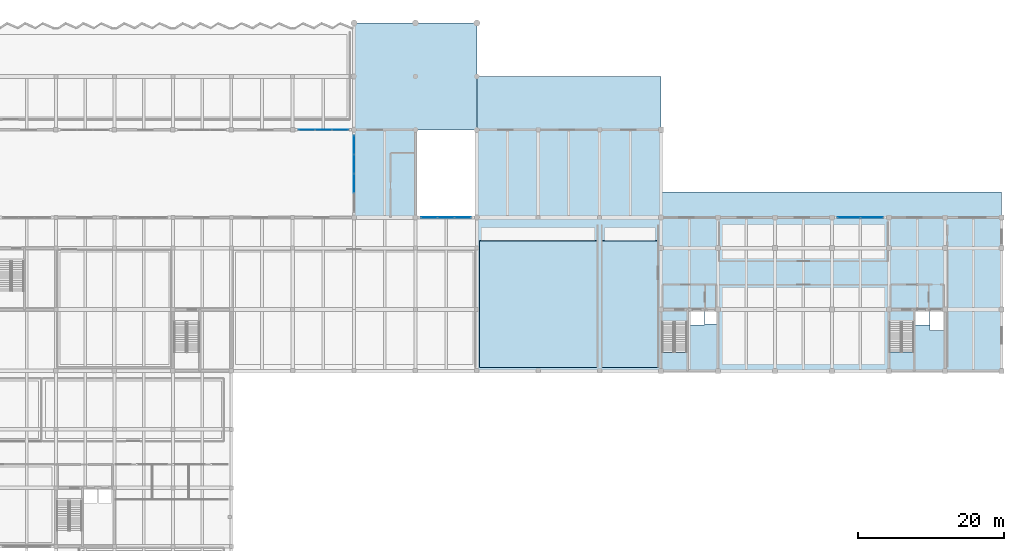
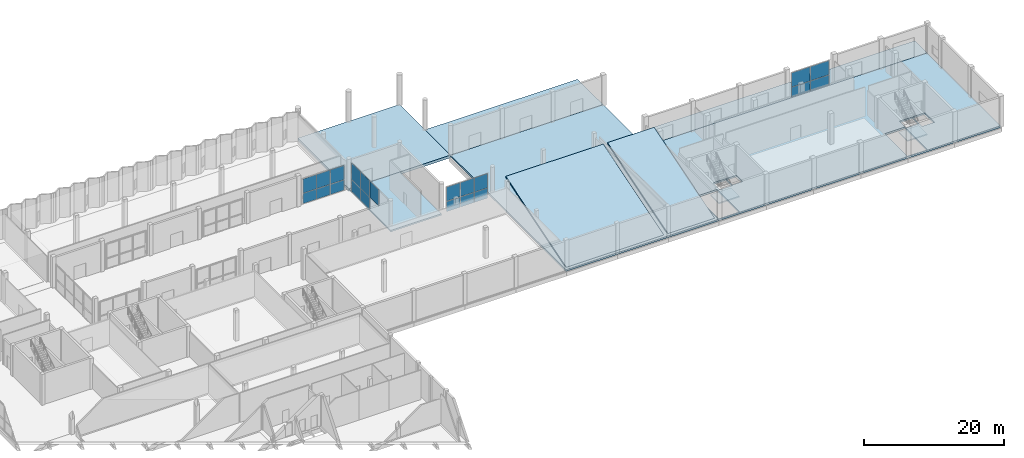
# One storey, part 22 of 41: 21 plates, 10 slabs, 6 elements without a shape of their own.
"""IFC4 building model written with IfcOpenShell, lengths in metres."""

from ifc_helpers import new_model, si_unit, direction, frame, origin, origin_2d, place, context, subcontext, project, spatial, polyline, rectangle, outline, extrude, material, layer, layer_set, type_object, element, aggregate, save


model = new_model("IFC4")

# Units and contexts
model_context = context("Model", 3, precision=1e-05, world=origin(), true_north=direction((0.0, 1.0)))
body_context = subcontext(model_context, "Body", "Model", "MODEL_VIEW")
ifc_project = project(units=[si_unit("LENGTHUNIT", "METRE"), si_unit("AREAUNIT", "SQUARE_METRE"), si_unit("VOLUMEUNIT", "CUBIC_METRE"), si_unit("PLANEANGLEUNIT", "RADIAN"), si_unit("MASSUNIT", "GRAM", prefix="KILO")], contexts=[model_context])

# Site, building, storey
site_placement = place(None, origin())
site = spatial("IfcSite", under=ifc_project, at=site_placement, CompositionType="ELEMENT")
building_placement = place(site_placement, origin())
building = spatial("IfcBuilding", under=site, at=building_placement, Name="Vharandega Faculty of Natural Sciences", CompositionType="ELEMENT")
storey_placement = place(building_placement, origin())
storey = spatial("IfcBuildingStorey", under=building, at=storey_placement, Name="L00", CompositionType="ELEMENT", Elevation=0.0)

# Curtain wall, plates
ifc_material_1 = material(Name="Aluminium and solar-control glass curtain wall", Category="aluminium")
curtain_wall_type_1 = type_object("IfcCurtainWallType", Name="Unitised Curtain Wall System CW-02", PredefinedType="NOTDEFINED", material=ifc_material_1)
curtain_wall_1_placement = place(storey_placement, origin())
curtain_wall_1 = element("IfcCurtainWall", 1, at=curtain_wall_1_placement, inside=storey, type_object=curtain_wall_type_1, Name="Curtain Wall CW-L00-001", PredefinedType="NOTDEFINED")
ifc_material_2 = material(Name="Double-glazed low-E solar glass", Category="glass")
ifc_layer_1 = layer(ifc_material_2, 0.028076171875, Name="Double-glazed low-E solar glass")
ifc_layer_set_1 = layer_set([ifc_layer_1], Name="Double-glazed low-E solar glass")
plate_type = type_object("IfcPlateType", Name="CW Solar Vision Panel 28mm", PredefinedType="CURTAIN_PANEL", material=ifc_layer_set_1)
plate_1_placement = place(storey_placement, frame((140.53759765625, 85.0, 0.06494140625), z_axis=(0.0, 0.0, 1.0), x_axis=(1.0, 0.0, 0.0)))
plate_1 = element("IfcPlate", 2, at=plate_1_placement, type_object=plate_type, Name="CW-02 panel 1.1", PredefinedType="CURTAIN_PANEL", context=body_context, shape_type="SweptSolid", body=[
    extrude(rectangle(XDim=3.054931640625, YDim=0.028076171875, at=origin_2d()), origin(), (0.0, 0.0, 1.0), 1.7587890625),
])
plate_2_placement = place(storey_placement, frame((140.53759765625, 85.0, 1.88916015625), z_axis=(0.0, 0.0, 1.0), x_axis=(1.0, 0.0, 0.0)))
plate_2 = element("IfcPlate", 3, at=plate_2_placement, type_object=plate_type, Name="CW-02 panel 1.2", PredefinedType="CURTAIN_PANEL", context=body_context, shape_type="SweptSolid", body=[
    extrude(rectangle(XDim=3.054931640625, YDim=0.028076171875, at=origin_2d()), origin(), (0.0, 0.0, 1.0), 2.466064453125),
])
plate_3_placement = place(storey_placement, frame((143.66259765625, 85.0, 0.06494140625), z_axis=(0.0, 0.0, 1.0), x_axis=(1.0, 0.0, 0.0)))
plate_3 = element("IfcPlate", 4, at=plate_3_placement, type_object=plate_type, Name="CW-02 panel 2.1", PredefinedType="CURTAIN_PANEL", context=body_context, shape_type="SweptSolid", body=[
    extrude(rectangle(XDim=3.054931640625, YDim=0.028076171875, at=origin_2d()), origin(), (0.0, 0.0, 1.0), 1.7587890625),
])
plate_4_placement = place(storey_placement, frame((143.66259765625, 85.0, 1.88916015625), z_axis=(0.0, 0.0, 1.0), x_axis=(1.0, 0.0, 0.0)))
plate_4 = element("IfcPlate", 5, at=plate_4_placement, type_object=plate_type, Name="CW-02 panel 2.2", PredefinedType="CURTAIN_PANEL", context=body_context, shape_type="SweptSolid", body=[
    extrude(rectangle(XDim=3.054931640625, YDim=0.028076171875, at=origin_2d()), origin(), (0.0, 0.0, 1.0), 2.466064453125),
])
aggregate(curtain_wall_1, [plate_1, plate_2, plate_3, plate_4])

ifc_material_3 = material(Name="Aluminium and solar-control glass curtain wall", Category="aluminium")
curtain_wall_type_2 = type_object("IfcCurtainWallType", Name="Unitised Curtain Wall System CW-12", PredefinedType="NOTDEFINED", material=ifc_material_3)
curtain_wall_2_placement = place(storey_placement, origin())
curtain_wall_2 = element("IfcCurtainWall", 6, at=curtain_wall_2_placement, inside=storey, type_object=curtain_wall_type_2, Name="Curtain Wall CW-L00-039", PredefinedType="NOTDEFINED")
plate_5_placement = place(storey_placement, frame((66.310791015625, 97.0, 0.06494140625), z_axis=(0.0, 0.0, 1.0), x_axis=(1.0, 0.0, 0.0)))
plate_5 = element("IfcPlate", 7, at=plate_5_placement, type_object=plate_type, Name="CW-12 panel 1.1", PredefinedType="CURTAIN_PANEL", context=body_context, shape_type="SweptSolid", body=[
    extrude(rectangle(XDim=2.20166015625, YDim=0.028076171875, at=origin_2d()), origin(), (0.0, 0.0, 1.0), 1.767333984375),
])
plate_6_placement = place(storey_placement, frame((66.310791015625, 97.0, 1.8974609375), z_axis=(0.0, 0.0, 1.0), x_axis=(1.0, 0.0, 0.0)))
plate_6 = element("IfcPlate", 8, at=plate_6_placement, type_object=plate_type, Name="CW-12 panel 1.2", PredefinedType="CURTAIN_PANEL", context=body_context, shape_type="SweptSolid", body=[
    extrude(rectangle(XDim=2.20166015625, YDim=0.028076171875, at=origin_2d()), origin(), (0.0, 0.0, 1.0), 2.477783203125),
])
plate_7_placement = place(storey_placement, frame((68.60009765625, 97.0, 0.06494140625), z_axis=(0.0, 0.0, 1.0), x_axis=(1.0, 0.0, 0.0)))
plate_7 = element("IfcPlate", 9, at=plate_7_placement, type_object=plate_type, Name="CW-12 panel 2.1", PredefinedType="CURTAIN_PANEL", context=body_context, shape_type="SweptSolid", body=[
    extrude(rectangle(XDim=2.236572265625, YDim=0.028076171875, at=origin_2d()), origin(), (0.0, 0.0, 1.0), 1.767333984375),
])
plate_8_placement = place(storey_placement, frame((68.60009765625, 97.0, 1.8974609375), z_axis=(0.0, 0.0, 1.0), x_axis=(1.0, 0.0, 0.0)))
plate_8 = element("IfcPlate", 10, at=plate_8_placement, type_object=plate_type, Name="CW-12 panel 2.2", PredefinedType="CURTAIN_PANEL", context=body_context, shape_type="SweptSolid", body=[
    extrude(rectangle(XDim=2.236572265625, YDim=0.028076171875, at=origin_2d()), origin(), (0.0, 0.0, 1.0), 2.477783203125),
])
plate_9_placement = place(storey_placement, frame((70.88916015625, 97.0, 0.06494140625), z_axis=(0.0, 0.0, 1.0), x_axis=(1.0, 0.0, 0.0)))
plate_9 = element("IfcPlate", 11, at=plate_9_placement, type_object=plate_type, Name="CW-12 panel 3.1", PredefinedType="CURTAIN_PANEL", context=body_context, shape_type="SweptSolid", body=[
    extrude(rectangle(XDim=2.20166015625, YDim=0.028076171875, at=origin_2d()), origin(), (0.0, 0.0, 1.0), 1.767333984375),
])
plate_10_placement = place(storey_placement, frame((70.88916015625, 97.0, 1.8974609375), z_axis=(0.0, 0.0, 1.0), x_axis=(1.0, 0.0, 0.0)))
plate_10 = element("IfcPlate", 12, at=plate_10_placement, type_object=plate_type, Name="CW-12 panel 3.2", PredefinedType="CURTAIN_PANEL", context=body_context, shape_type="SweptSolid", body=[
    extrude(rectangle(XDim=2.20166015625, YDim=0.028076171875, at=origin_2d()), origin(), (0.0, 0.0, 1.0), 2.477783203125),
])
aggregate(curtain_wall_2, [plate_5, plate_6, plate_7, plate_8, plate_9, plate_10])

ifc_material_4 = material(Name="Aluminium and solar-control glass curtain wall", Category="aluminium")
curtain_wall_type_3 = type_object("IfcCurtainWallType", Name="Unitised Curtain Wall System CW-19", PredefinedType="NOTDEFINED", material=ifc_material_4)
curtain_wall_3_placement = place(storey_placement, origin())
curtain_wall_3 = element("IfcCurtainWall", 13, at=curtain_wall_3_placement, inside=storey, type_object=curtain_wall_type_3, Name="Curtain Wall CW-L00-074", PredefinedType="NOTDEFINED")
plate_11_placement = place(storey_placement, frame((72.800048828125, 89.68505859375, 2.17431640625), z_axis=(0.0, 0.0, 1.0), x_axis=(0.0, 1.0, 0.0)))
plate_11 = element("IfcPlate", 14, at=plate_11_placement, type_object=plate_type, Name="CW-19 panel 2.2", PredefinedType="CURTAIN_PANEL", context=body_context, shape_type="SweptSolid", body=[
    extrude(rectangle(XDim=2.56005859375, YDim=0.028076171875, at=origin_2d()), origin(), (0.0, 0.0, 1.0), 2.860595703125),
])
plate_12_placement = place(storey_placement, frame((72.800048828125, 92.31494140625, 0.06494140625), z_axis=(0.0, 0.0, 1.0), x_axis=(0.0, 1.0, 0.0)))
plate_12 = element("IfcPlate", 15, at=plate_12_placement, type_object=plate_type, Name="CW-19 panel 3.1", PredefinedType="CURTAIN_PANEL", context=body_context, shape_type="SweptSolid", body=[
    extrude(rectangle(XDim=2.56005859375, YDim=0.028076171875, at=origin_2d()), origin(), (0.0, 0.0, 1.0), 2.04443359375),
])
plate_13_placement = place(storey_placement, frame((72.800048828125, 92.31494140625, 2.17431640625), z_axis=(0.0, 0.0, 1.0), x_axis=(0.0, 1.0, 0.0)))
plate_13 = element("IfcPlate", 16, at=plate_13_placement, type_object=plate_type, Name="CW-19 panel 3.2", PredefinedType="CURTAIN_PANEL", context=body_context, shape_type="SweptSolid", body=[
    extrude(rectangle(XDim=2.56005859375, YDim=0.028076171875, at=origin_2d()), origin(), (0.0, 0.0, 1.0), 2.860595703125),
])
plate_14_placement = place(storey_placement, frame((72.800048828125, 94.927490234375, 0.06494140625), z_axis=(0.0, 0.0, 1.0), x_axis=(0.0, 1.0, 0.0)))
plate_14 = element("IfcPlate", 17, at=plate_14_placement, type_object=plate_type, Name="CW-19 panel 4.1", PredefinedType="CURTAIN_PANEL", context=body_context, shape_type="SweptSolid", body=[
    extrude(rectangle(XDim=2.52490234375, YDim=0.028076171875, at=origin_2d()), origin(), (0.0, 0.0, 1.0), 2.04443359375),
])
plate_15_placement = place(storey_placement, frame((72.800048828125, 94.927490234375, 2.17431640625), z_axis=(0.0, 0.0, 1.0), x_axis=(0.0, 1.0, 0.0)))
plate_15 = element("IfcPlate", 18, at=plate_15_placement, type_object=plate_type, Name="CW-19 panel 4.2", PredefinedType="CURTAIN_PANEL", context=body_context, shape_type="SweptSolid", body=[
    extrude(rectangle(XDim=2.52490234375, YDim=0.028076171875, at=origin_2d()), origin(), (0.0, 0.0, 1.0), 2.860595703125),
])
aggregate(curtain_wall_3, [plate_11, plate_12, plate_13, plate_14, plate_15])

ifc_material_5 = material(Name="Aluminium and solar-control glass curtain wall", Category="aluminium")
curtain_wall_type_4 = type_object("IfcCurtainWallType", Name="Unitised Curtain Wall System CW-22", PredefinedType="NOTDEFINED", material=ifc_material_5)
curtain_wall_4_placement = place(storey_placement, origin())
curtain_wall_4 = element("IfcCurtainWall", 19, at=curtain_wall_4_placement, inside=storey, type_object=curtain_wall_type_4, Name="Curtain Wall CW-L00-077", PredefinedType="NOTDEFINED")
plate_16_placement = place(storey_placement, frame((83.11083984375, 85.0, 0.06494140625), z_axis=(0.0, 0.0, 1.0), x_axis=(1.0, 0.0, 0.0)))
plate_16 = element("IfcPlate", 20, at=plate_16_placement, type_object=plate_type, Name="CW-22 panel 1.1", PredefinedType="CURTAIN_PANEL", context=body_context, shape_type="SweptSolid", body=[
    extrude(rectangle(XDim=2.20166015625, YDim=0.028076171875, at=origin_2d()), origin(), (0.0, 0.0, 1.0), 1.7587890625),
])
plate_17_placement = place(storey_placement, frame((83.11083984375, 85.0, 1.88916015625), z_axis=(0.0, 0.0, 1.0), x_axis=(1.0, 0.0, 0.0)))
plate_17 = element("IfcPlate", 21, at=plate_17_placement, type_object=plate_type, Name="CW-22 panel 1.2", PredefinedType="CURTAIN_PANEL", context=body_context, shape_type="SweptSolid", body=[
    extrude(rectangle(XDim=2.20166015625, YDim=0.028076171875, at=origin_2d()), origin(), (0.0, 0.0, 1.0), 2.466064453125),
])
plate_18_placement = place(storey_placement, frame((85.39990234375, 85.0, 0.06494140625), z_axis=(0.0, 0.0, 1.0), x_axis=(1.0, 0.0, 0.0)))
plate_18 = element("IfcPlate", 22, at=plate_18_placement, type_object=plate_type, Name="CW-22 panel 2.1", PredefinedType="CURTAIN_PANEL", context=body_context, shape_type="SweptSolid", body=[
    extrude(rectangle(XDim=2.236572265625, YDim=0.028076171875, at=origin_2d()), origin(), (0.0, 0.0, 1.0), 1.7587890625),
])
plate_19_placement = place(storey_placement, frame((85.39990234375, 85.0, 1.88916015625), z_axis=(0.0, 0.0, 1.0), x_axis=(1.0, 0.0, 0.0)))
plate_19 = element("IfcPlate", 23, at=plate_19_placement, type_object=plate_type, Name="CW-22 panel 2.2", PredefinedType="CURTAIN_PANEL", context=body_context, shape_type="SweptSolid", body=[
    extrude(rectangle(XDim=2.236572265625, YDim=0.028076171875, at=origin_2d()), origin(), (0.0, 0.0, 1.0), 2.466064453125),
])
plate_20_placement = place(storey_placement, frame((87.689208984375, 85.0, 0.06494140625), z_axis=(0.0, 0.0, 1.0), x_axis=(1.0, 0.0, 0.0)))
plate_20 = element("IfcPlate", 24, at=plate_20_placement, type_object=plate_type, Name="CW-22 panel 3.1", PredefinedType="CURTAIN_PANEL", context=body_context, shape_type="SweptSolid", body=[
    extrude(rectangle(XDim=2.20166015625, YDim=0.028076171875, at=origin_2d()), origin(), (0.0, 0.0, 1.0), 1.7587890625),
])
plate_21_placement = place(storey_placement, frame((87.689208984375, 85.0, 1.88916015625), z_axis=(0.0, 0.0, 1.0), x_axis=(1.0, 0.0, 0.0)))
plate_21 = element("IfcPlate", 25, at=plate_21_placement, type_object=plate_type, Name="CW-22 panel 3.2", PredefinedType="CURTAIN_PANEL", context=body_context, shape_type="SweptSolid", body=[
    extrude(rectangle(XDim=2.20166015625, YDim=0.028076171875, at=origin_2d()), origin(), (0.0, 0.0, 1.0), 2.466064453125),
])
aggregate(curtain_wall_4, [plate_16, plate_17, plate_18, plate_19, plate_20, plate_21])

# Slabs
ifc_material_6 = material(Name="Concrete C35/45", Category="concrete")
ifc_layer_2 = layer(ifc_material_6, 0.449951171875, Name="Concrete C35/45")
ifc_layer_set_2 = layer_set([ifc_layer_2], Name="Concrete C35/45")
slab_type_1 = type_object("IfcSlabType", Name="SLAB-BASE-450", PredefinedType="BASESLAB", material=ifc_layer_set_2)
slab_1_placement = place(storey_placement, frame((0.0, 0.0, -0.449951171875)))
element("IfcSlab", 26, at=slab_1_placement, inside=storey, type_object=slab_type_1, Name="Ground Forecourt Paving APR-PORT", PredefinedType="BASESLAB", context=body_context, shape_type="SweptSolid", body=[
    extrude(outline(polyline([(72.800048828125, 97.0), (89.60009765625, 97.0), (89.60009765625, 111.60009765625), (72.800048828125, 111.60009765625), (72.800048828125, 97.0)])), origin(), (0.0, 0.0, 1.0), 0.449951171875),
])
slab_2_placement = place(storey_placement, frame((0.0, 0.0, -0.449951171875)))
element("IfcSlab", 27, at=slab_2_placement, inside=storey, type_object=slab_type_1, Name="Ground Forecourt Paving APR-FORE", PredefinedType="BASESLAB", context=body_context, shape_type="SweptSolid", body=[
    extrude(outline(polyline([(89.60009765625, 97.0), (114.800048828125, 97.0), (114.800048828125, 104.300048828125), (89.60009765625, 104.300048828125), (89.60009765625, 97.0)])), origin(), (0.0, 0.0, 1.0), 0.449951171875),
])
slab_3_placement = place(storey_placement, frame((0.0, 0.0, -0.449951171875)))
element("IfcSlab", 28, at=slab_3_placement, inside=storey, type_object=slab_type_1, Name="Ground Forecourt Paving APR-EAST", PredefinedType="BASESLAB", context=body_context, shape_type="SweptSolid", body=[
    extrude(outline(polyline([(114.800048828125, 85.0), (161.39990234375, 85.0), (161.39990234375, 88.5), (114.800048828125, 88.5), (114.800048828125, 85.0)])), origin(), (0.0, 0.0, 1.0), 0.449951171875),
])
ifc_material_7 = material(Name="Concrete C40/50", Category="concrete")
ifc_layer_3 = layer(ifc_material_7, 0.25, Name="Concrete C40/50")
ifc_layer_set_3 = layer_set([ifc_layer_3], Name="Concrete C40/50")
slab_type_2 = type_object("IfcSlabType", Name="SLAB-RAKE-250", PredefinedType="FLOOR", material=ifc_layer_set_3)
slab_4_placement = place(storey_placement, frame((89.949951171875, 64.5, 0.0), z_axis=(0.0, -0.297955120229, 0.954579879491), x_axis=(1.0, 0.0, 0.0)))
element("IfcSlab", 29, at=slab_4_placement, inside=storey, type_object=slab_type_2, Name="Raked Lecture Theatre Tier LT1", PredefinedType="FLOOR", context=body_context, shape_type="SweptSolid", body=[
    extrude(outline(polyline([(0.0, 0.0), (16.10009765625, 0.0), (16.10009765625, 18.12320707759931), (0.0, 18.12320707759931), (0.0, 0.0)])), origin(), (0.0, 0.0, -1.0), 0.25),
])
slab_5_placement = place(storey_placement, frame((106.75, 64.5, 0.0), z_axis=(0.0, -0.297955120229, 0.954579879491), x_axis=(1.0, 0.0, 0.0)))
element("IfcSlab", 30, at=slab_5_placement, inside=storey, type_object=slab_type_2, Name="Raked Lecture Theatre Tier LT2", PredefinedType="FLOOR", context=body_context, shape_type="SweptSolid", body=[
    extrude(outline(polyline([(0.0, 0.0), (7.699951171875, 0.0), (7.699951171875, 18.12320707759931), (0.0, 18.12320707759931), (0.0, 0.0)])), origin(), (0.0, 0.0, -1.0), 0.25),
])
ifc_material_8 = material(Name="Concrete C40/50", Category="concrete")
ifc_layer_4 = layer(ifc_material_8, 0.260009765625, Name="Concrete C40/50")
ifc_layer_set_4 = layer_set([ifc_layer_4], Name="Concrete C40/50")
slab_type_3 = type_object("IfcSlabType", Name="SLAB-RC-260", PredefinedType="FLOOR", material=ifc_layer_set_4)
slab_6_placement = place(storey_placement, frame((0.0, 0.0, -0.260009765625)))
element("IfcSlab", 31, at=slab_6_placement, inside=storey, type_object=slab_type_3, Name="L00 V6 Floor Slab", PredefinedType="FLOOR", context=body_context, shape_type="SweptSolid", body=[
    extrude(outline(polyline([(72.800048828125, 85.0), (81.199951171875, 85.0), (81.199951171875, 97.0), (72.800048828125, 97.0), (72.800048828125, 85.0)])), origin(), (0.0, 0.0, 1.0), 0.260009765625),
])
ifc_material_9 = material(Name="Concrete C40/50", Category="concrete")
ifc_layer_5 = layer(ifc_material_9, 0.300048828125, Name="Concrete C40/50")
ifc_layer_set_5 = layer_set([ifc_layer_5], Name="Concrete C40/50")
slab_type_4 = type_object("IfcSlabType", Name="SLAB-RC-300", PredefinedType="FLOOR", material=ifc_layer_set_5)
slab_7_placement = place(storey_placement, frame((0.0, 0.0, -0.300048828125)))
element("IfcSlab", 32, at=slab_7_placement, inside=storey, type_object=slab_type_4, Name="L00 V1 Floor Slab", PredefinedType="FLOOR", context=body_context, shape_type="SweptSolid", body=[
    extrude(outline(polyline([(89.60009765625, 64.0), (114.800048828125, 64.0), (114.800048828125, 97.0), (89.60009765625, 97.0), (89.60009765625, 64.0)])), origin(), (0.0, 0.0, 1.0), 0.300048828125),
])
slab_8_placement = place(storey_placement, frame((0.0, 0.0, -0.300048828125)))
element("IfcSlab", 33, at=slab_8_placement, inside=storey, type_object=slab_type_4, Name="L00 V4 Floor Slab", PredefinedType="FLOOR", context=body_context, shape_type="SweptSolid", body=[
    extrude(outline(polyline([(114.800048828125, 64.0), (161.39990234375, 64.0), (161.39990234375, 85.0), (114.800048828125, 85.0), (114.800048828125, 64.0)]), holes=[polyline([(114.93994140625, 70.544921875), (114.93994140625, 64.139892578125), (118.360107421875, 64.139892578125), (118.360107421875, 70.544921875), (114.93994140625, 70.544921875)]), polyline([(118.64990234375, 70.300048828125), (120.75, 70.300048828125), (120.75, 72.219970703125), (118.64990234375, 72.219970703125), (118.64990234375, 70.300048828125)]), polyline([(120.85009765625, 70.39990234375), (122.47998046875, 70.39990234375), (122.47998046875, 72.219970703125), (120.85009765625, 72.219970703125), (120.85009765625, 70.39990234375)]), polyline([(146.06005859375, 70.594970703125), (146.06005859375, 64.139892578125), (149.3798828125, 64.139892578125), (149.3798828125, 70.594970703125), (146.06005859375, 70.594970703125)]), polyline([(149.449951171875, 70.300048828125), (151.570068359375, 70.300048828125), (151.570068359375, 72.219970703125), (149.449951171875, 72.219970703125), (149.449951171875, 70.300048828125)]), polyline([(151.6201171875, 69.5), (153.639892578125, 69.5), (153.639892578125, 72.219970703125), (151.6201171875, 72.219970703125), (151.6201171875, 69.5)])]), origin(), (0.0, 0.0, 1.0), 0.300048828125),
])

# Stair, slab
ifc_material_10 = material(Name="Concrete C40/50", Category="concrete")
stair_type_1 = type_object("IfcStairType", Name="Escape Dog-Leg Stair W165 H540", PredefinedType="HALF_TURN_STAIR", material=ifc_material_10)
stair_1_placement = place(storey_placement, origin())
stair_1 = element("IfcStair", 34, at=stair_1_placement, inside=storey, type_object=stair_type_1, Name="L00 Escape Stair ST1", PredefinedType="HALF_TURN_STAIR")
ifc_material_11 = material(Name="Concrete C40/50", Category="concrete")
ifc_layer_6 = layer(ifc_material_11, 0.199951171875, Name="Concrete C40/50")
ifc_layer_set_6 = layer_set([ifc_layer_6], Name="Concrete C40/50")
slab_type_5 = type_object("IfcSlabType", Name="Stair Half-Landing Slab 200", PredefinedType="LANDING", material=ifc_layer_set_6)
slab_9_placement = place(storey_placement, frame((0.0, 0.0, 2.5)))
slab_9 = element("IfcSlab", 35, at=slab_9_placement, type_object=slab_type_5, Name="ST1 landing 1", PredefinedType="LANDING", context=body_context, shape_type="SweptSolid", body=[
    extrude(outline(polyline([(114.93994140625, 66.550048828125), (114.93994140625, 64.139892578125), (118.360107421875, 64.139892578125), (118.360107421875, 66.550048828125), (114.93994140625, 66.550048828125)])), origin(), (0.0, 0.0, 1.0), 0.199951171875),
])
aggregate(stair_1, [slab_9])

ifc_material_12 = material(Name="Concrete C40/50", Category="concrete")
stair_type_2 = type_object("IfcStairType", Name="Escape Dog-Leg Stair W160 H540", PredefinedType="HALF_TURN_STAIR", material=ifc_material_12)
stair_2_placement = place(storey_placement, origin())
stair_2 = element("IfcStair", 36, at=stair_2_placement, inside=storey, type_object=stair_type_2, Name="L00 Escape Stair ST2", PredefinedType="HALF_TURN_STAIR")
slab_10_placement = place(storey_placement, frame((0.0, 0.0, 2.5)))
slab_10 = element("IfcSlab", 37, at=slab_10_placement, type_object=slab_type_5, Name="ST2 landing 1", PredefinedType="LANDING", context=body_context, shape_type="SweptSolid", body=[
    extrude(outline(polyline([(146.06005859375, 66.60009765625), (146.06005859375, 64.139892578125), (149.3798828125, 64.139892578125), (149.3798828125, 66.60009765625), (146.06005859375, 66.60009765625)])), origin(), (0.0, 0.0, 1.0), 0.199951171875),
])
aggregate(stair_2, [slab_10])

save(model, "model.ifc")
